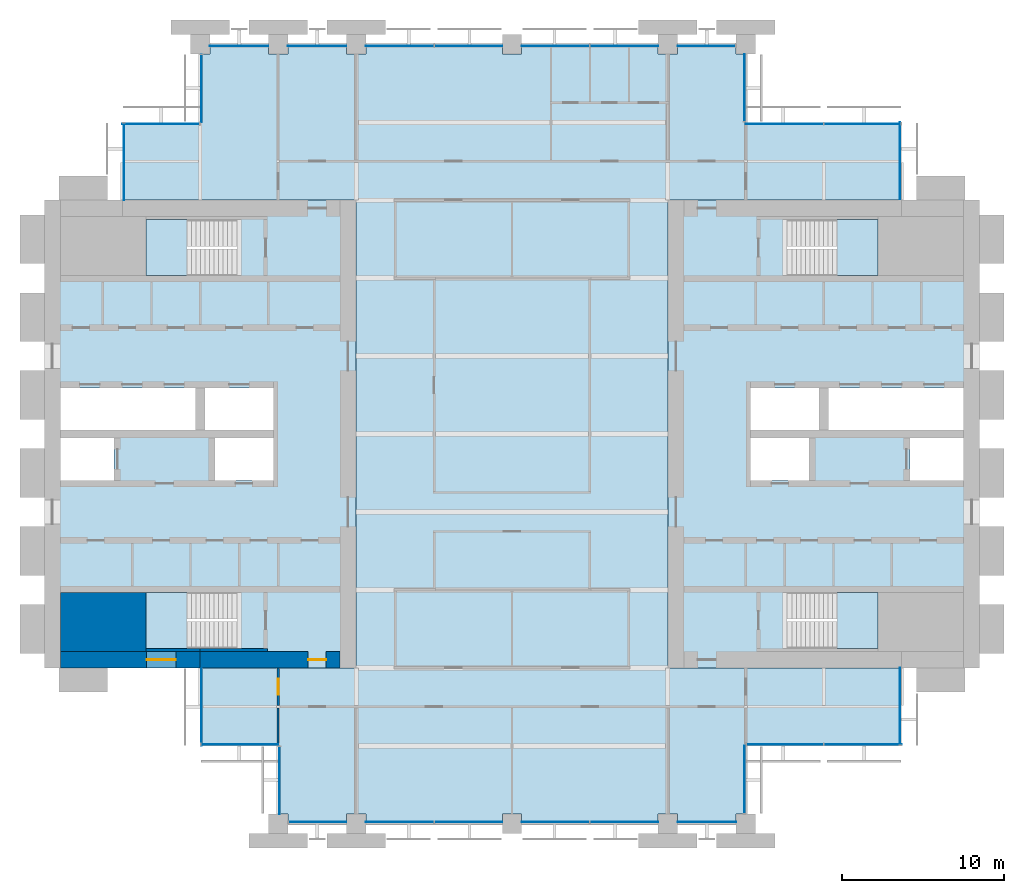
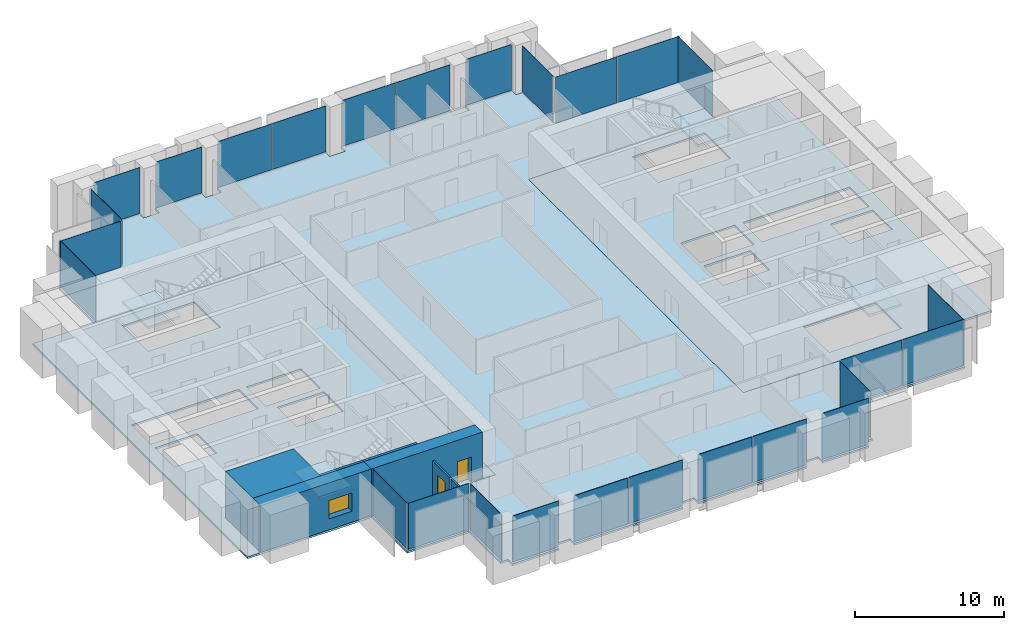
# One storey, part 8 of 14: 27 plates, 7 slabs, 7 walls, 2 doors, 1 window, 3 openings, 18 elements without a shape of their own.
"""IFC4 building model written with IfcOpenShell, lengths in metres."""

import ifcopenshell
import ifcopenshell.guid

model = None  # the IFC model being written
_history = None  # IfcOwnerHistory: only IFC2X3 demands one
_inside = {}  # id of a spatial element -> (the spatial element, [elements in it])
_under = {}  # id of a project, library or spatial element -> (it, [spatial elements below it])
_declared = {}  # id of a project -> (the project, [libraries it declares])
_typed = {}  # id of a type object -> (the type object, [elements of that type])
_made_of = {}  # id of a material, layer set ... -> (it, [elements and type objects made of it])


def new_model(schema):
    """Start an empty IFC model of exactly this schema.

    Asked for "IFC4X3", IfcOpenShell would pick the latest addendum, in which some entities
    have other attributes; the version numbers below select the first issue.
    IFC2X3 requires an IfcOwnerHistory on every rooted entity: one is made here for all.
    """
    global model, _history
    if schema == "IFC4X3":
        model = ifcopenshell.file(schema_version=(4, 3, 0, 0))
    else:
        model = ifcopenshell.file(schema=schema)
    _inside.clear()
    _under.clear()
    _declared.clear()
    _typed.clear()
    _made_of.clear()
    _history = None
    if model.schema == "IFC2X3":
        org = make("IfcOrganization", Name="unknown")
        user = make(
            "IfcPersonAndOrganization",
            ThePerson=make("IfcPerson", FamilyName="unknown"),
            TheOrganization=org,
        )
        app = make(
            "IfcApplication",
            ApplicationDeveloper=org,
            Version="unknown",
            ApplicationFullName="unknown",
            ApplicationIdentifier="unknown",
        )
        _history = make(
            "IfcOwnerHistory",
            OwningUser=user,
            OwningApplication=app,
            ChangeAction="ADDED",
            CreationDate=0,
        )
    return model


def make(cls, **values):
    """One entity of the class cls with the attributes given. An attribute that is None is left unset."""
    return model.create_entity(
        cls, **{name: value for name, value in values.items() if value is not None}
    )


def rooted(cls, **values):
    """An entity with a GlobalId (a new one), such as an element, a storey or a relation."""
    return make(cls, GlobalId=ifcopenshell.guid.new(), OwnerHistory=_history, **values)


def si_unit(unit_type, name, prefix=None):
    """IfcSIUnit, for example si_unit("LENGTHUNIT", "METRE", prefix="MILLI")."""
    return make("IfcSIUnit", UnitType=unit_type, Prefix=prefix, Name=name)


def assignment(units):
    """IfcUnitAssignment: the units of a project."""
    return None if units is None else make("IfcUnitAssignment", Units=units)


def point(xyz):
    """IfcCartesianPoint."""
    return None if xyz is None else make("IfcCartesianPoint", Coordinates=xyz)


def direction(xyz):
    """IfcDirection."""
    return None if xyz is None else make("IfcDirection", DirectionRatios=xyz)


def frame(location, z_axis=None, x_axis=None):
    """IfcAxis2Placement3D, a coordinate frame: its origin and axes. An axis left out is left unset."""
    return make(
        "IfcAxis2Placement3D",
        Location=point(location),
        Axis=direction(z_axis),
        RefDirection=direction(x_axis),
    )


def frame_2d(location, x_axis=None):
    """IfcAxis2Placement2D, a coordinate frame in the plane: its origin and x axis."""
    return make(
        "IfcAxis2Placement2D", Location=point(location), RefDirection=direction(x_axis)
    )


def origin():
    """The frame at (0, 0, 0) with its axes left unset."""
    return frame((0.0, 0.0, 0.0))


def origin_2d():
    """The frame at (0, 0) in the plane with its x axis left unset."""
    return frame_2d((0.0, 0.0))


def place(relative_to, where):
    """IfcLocalPlacement: puts the frame where relative to a parent placement (None: the world)."""
    return make(
        "IfcLocalPlacement", PlacementRelTo=relative_to, RelativePlacement=where
    )


def context(
    kind, dimensions, precision=None, world=None, true_north=None, identifier=None
):
    """IfcGeometricRepresentationContext, for example the 3D "Model" context."""
    return make(
        "IfcGeometricRepresentationContext",
        ContextIdentifier=identifier,
        ContextType=kind,
        CoordinateSpaceDimension=dimensions,
        Precision=precision,
        WorldCoordinateSystem=world,
        TrueNorth=true_north,
    )


def subcontext(parent, identifier, kind, view, scale=None):
    """IfcGeometricRepresentationSubContext, for example "Body" below "Model"."""
    return make(
        "IfcGeometricRepresentationSubContext",
        ContextIdentifier=identifier,
        ContextType=kind,
        ParentContext=parent,
        TargetScale=scale,
        TargetView=view,
    )


def project(units=None, contexts=None):
    """IfcProject with its units and contexts."""
    return rooted(
        "IfcProject",
        Name="project",
        RepresentationContexts=contexts,
        UnitsInContext=assignment(units),
    )


def spatial(cls, under=None, at=None, **own):
    """A site, building, storey or space (cls), placed at a placement, below another one or the project."""
    s = rooted(cls, ObjectPlacement=at, **own)
    if under is not None:
        _under.setdefault(under.id(), (under, []))[1].append(s)
    return s


def polyline(points):
    """IfcPolyline through the points."""
    return make("IfcPolyline", Points=[point(p) for p in points])


def profile(cls, at=None, kind="AREA", **sizes):
    """A parametric profile (cls). Its sizes go by their IFC names, for example OverallWidth=200.0."""
    return make(cls, ProfileType=kind, Position=at, **sizes)


def rectangle(**sizes):
    """IfcRectangleProfileDef."""
    return profile("IfcRectangleProfileDef", **sizes)


def outline(outer, holes=None, kind="AREA"):
    """IfcArbitraryClosedProfileDef: a profile drawn as a closed curve; with holes, ...WithVoids."""
    if holes is None:
        return make("IfcArbitraryClosedProfileDef", ProfileType=kind, OuterCurve=outer)
    return make(
        "IfcArbitraryProfileDefWithVoids",
        ProfileType=kind,
        OuterCurve=outer,
        InnerCurves=holes,
    )


def extrude(swept, where, along, depth):
    """IfcExtrudedAreaSolid: the profile swept, set in the frame where, extruded along a direction by depth."""
    return make(
        "IfcExtrudedAreaSolid",
        SweptArea=swept,
        Position=where,
        ExtrudedDirection=direction(along),
        Depth=depth,
    )


def shape(context_of_items, identifier, shape_type, items):
    """IfcShapeRepresentation: the items that make up one representation, for example the "Body"."""
    return make(
        "IfcShapeRepresentation",
        ContextOfItems=context_of_items,
        RepresentationIdentifier=identifier,
        RepresentationType=shape_type,
        Items=items,
    )


def material(Name=None, Category=None):
    """IfcMaterial."""
    return make("IfcMaterial", Name=Name, Category=Category)


def layer(
    of_material, thickness, ventilated=None, Name=None, Category=None, Priority=None
):
    """IfcMaterialLayer: one layer of a wall or slab, of a material (None: an air gap)."""
    return make(
        "IfcMaterialLayer",
        Material=of_material,
        LayerThickness=thickness,
        IsVentilated=ventilated,
        Name=Name,
        Category=Category,
        Priority=Priority,
    )


def layer_set(layers, Name=None):
    """IfcMaterialLayerSet."""
    return make("IfcMaterialLayerSet", MaterialLayers=layers, LayerSetName=Name)


def made_of(thing, what):
    """Note that an element or type object is made of a material, layer set ...; save() writes the relation."""
    if what is not None:
        _made_of.setdefault(what.id(), (what, []))[1].append(thing)
    return thing


def type_object(cls, material=None, **own):
    """A type object (cls), such as IfcWallType, which elements share."""
    return made_of(rooted(cls, **own), material)


def element(
    cls,
    number,
    at=None,
    inside=None,
    cuts=None,
    type_object=None,
    material=None,
    context=None,
    identifier="Body",
    shape_type=None,
    held_by="IfcProductDefinitionShape",
    body=None,
    shapes=None,
    **own,
):
    """One element of the class cls, such as IfcWall. Its Tag is "e" and its number.

    at: its placement. inside: the storey or other place that contains it. cuts: it is an
    opening in that element (IfcRelVoidsElement). A single representation is given by context,
    identifier, shape_type and body (its items); several are given by shapes. held_by: the class
    of the entity that holds the representations. save() writes the other relations.
    """
    e = rooted(cls, Tag="e%d" % number, ObjectPlacement=at, **own)
    if body is not None:
        shapes = [shape(context, identifier, shape_type, body)]
    if shapes is not None:
        e.Representation = make(held_by, Representations=shapes)
    if inside is not None:
        _inside.setdefault(inside.id(), (inside, []))[1].append(e)
    if cuts is not None:
        rooted(
            "IfcRelVoidsElement", RelatingBuildingElement=cuts, RelatedOpeningElement=e
        )
    if type_object is not None:
        _typed.setdefault(type_object.id(), (type_object, []))[1].append(e)
    return made_of(e, material)


def fill(opening, filler):
    """IfcRelFillsElement: the door or window that sits in an opening."""
    return rooted(
        "IfcRelFillsElement",
        RelatingOpeningElement=opening,
        RelatedBuildingElement=filler,
    )


def aggregate(whole, parts):
    """IfcRelAggregates: a whole, such as a stair, and the parts it consists of."""
    return rooted("IfcRelAggregates", RelatingObject=whole, RelatedObjects=parts)


def save(model, path):
    """Write the relations noted so far, then the file.

    IfcRelAggregates (storeys below a building ...), IfcRelContainedInSpatialStructure (elements
    in a storey), IfcRelDefinesByType, IfcRelAssociatesMaterial and IfcRelDeclares: one each for
    every whole, place, type object, material and project.
    """
    for whole, parts in _under.values():
        aggregate(whole, parts)
    for where, things in _inside.values():
        rooted(
            "IfcRelContainedInSpatialStructure",
            RelatedElements=things,
            RelatingStructure=where,
        )
    for kind, things in _typed.values():
        rooted("IfcRelDefinesByType", RelatedObjects=things, RelatingType=kind)
    for what, things in _made_of.values():
        rooted("IfcRelAssociatesMaterial", RelatedObjects=things, RelatingMaterial=what)
    for by, libraries in _declared.values():
        rooted("IfcRelDeclares", RelatingContext=by, RelatedDefinitions=libraries)
    model.write(path)


model = new_model("IFC4")

# Units and contexts
model_context = context("Model", 3, precision=1e-05, world=origin(), true_north=direction((0.0, 1.0)))
body_context = subcontext(model_context, "Body", "Model", "MODEL_VIEW")
ifc_project = project(units=[si_unit("LENGTHUNIT", "METRE"), si_unit("AREAUNIT", "SQUARE_METRE"), si_unit("VOLUMEUNIT", "CUBIC_METRE"), si_unit("PLANEANGLEUNIT", "RADIAN"), si_unit("MASSUNIT", "GRAM", prefix="KILO")], contexts=[model_context])

# Site, building, storey
site_placement = place(None, origin())
site = spatial("IfcSite", under=ifc_project, at=site_placement, CompositionType="ELEMENT")
building_placement = place(site_placement, origin())
building = spatial("IfcBuilding", under=site, at=building_placement, Name="Baori Bourse Tower", CompositionType="ELEMENT")
storey_placement = place(building_placement, frame((0.0, 0.0, 112.10009765625)))
storey = spatial("IfcBuildingStorey", under=building, at=storey_placement, Name="L23", CompositionType="ELEMENT", Elevation=112.10009765625)

# Curtain wall, plates
ifc_material_1 = material(Name="Pale anodised aluminium", Category="aluminium")
curtain_wall_type_1 = type_object("IfcCurtainWallType", Name="CW1 Curtain wall", PredefinedType="NOTDEFINED", material=ifc_material_1)
curtain_wall_1_placement = place(storey_placement, origin())
curtain_wall_1 = element("IfcCurtainWall", 1, at=curtain_wall_1_placement, inside=storey, type_object=curtain_wall_type_1, Name="Curtain wall CW1 L23 4", PredefinedType="NOTDEFINED")
ifc_material_2 = material(Name="Clear glass", Category="glass")
ifc_layer_1 = layer(ifc_material_2, 0.033935546875)
ifc_layer_set_1 = layer_set([ifc_layer_1], Name="CW1 Curtain wall panel")
plate_type_1 = type_object("IfcPlateType", Name="CW1 Curtain wall panel", PredefinedType="CURTAIN_PANEL", material=ifc_layer_set_1)
plate_1_placement = place(storey_placement, frame((40.77001953125, 47.89990234375, 0.080078125), z_axis=(0.0, 0.0, 1.0), x_axis=(-1.0, 0.0, 0.0)))
plate_1 = element("IfcPlate", 2, at=plate_1_placement, type_object=plate_type_1, Name="Curtain wall CW1 panel", PredefinedType="CURTAIN_PANEL", context=body_context, shape_type="SweptSolid", body=[
    extrude(rectangle(XDim=3.5400390625, YDim=0.033935546875, at=origin_2d()), origin(), (0.0, 0.0, 1.0), 3.760009765625),
])
plate_2_placement = place(storey_placement, frame((35.715087890625, 47.89990234375, 0.080078125), z_axis=(0.0, 0.0, 1.0), x_axis=(-1.0, 0.0, 0.0)))
plate_2 = element("IfcPlate", 3, at=plate_2_placement, type_object=plate_type_1, Name="Curtain wall CW1 panel", PredefinedType="CURTAIN_PANEL", context=body_context, shape_type="SweptSolid", body=[
    extrude(rectangle(XDim=4.169921875, YDim=0.033935546875, at=origin_2d()), origin(), (0.0, 0.0, 1.0), 3.760009765625),
])
plate_3_placement = place(storey_placement, frame((31.485107421875, 47.89990234375, 0.080078125), z_axis=(0.0, 0.0, 1.0), x_axis=(-1.0, 0.0, 0.0)))
plate_3 = element("IfcPlate", 4, at=plate_3_placement, type_object=plate_type_1, Name="Curtain wall CW1 panel", PredefinedType="CURTAIN_PANEL", context=body_context, shape_type="SweptSolid", body=[
    extrude(rectangle(XDim=4.169921875, YDim=0.033935546875, at=origin_2d()), origin(), (0.0, 0.0, 1.0), 3.760009765625),
])
plate_4_placement = place(storey_placement, frame((26.114990234375, 47.89990234375, 0.080078125), z_axis=(0.0, 0.0, 1.0), x_axis=(-1.0, 0.0, 0.0)))
plate_4 = element("IfcPlate", 5, at=plate_4_placement, type_object=plate_type_1, Name="Curtain wall CW1 panel", PredefinedType="CURTAIN_PANEL", context=body_context, shape_type="SweptSolid", body=[
    extrude(rectangle(XDim=4.169921875, YDim=0.033935546875, at=origin_2d()), origin(), (0.0, 0.0, 1.0), 3.760009765625),
])
plate_5_placement = place(storey_placement, frame((21.885009765625, 47.89990234375, 0.080078125), z_axis=(0.0, 0.0, 1.0), x_axis=(-1.0, 0.0, 0.0)))
plate_5 = element("IfcPlate", 6, at=plate_5_placement, type_object=plate_type_1, Name="Curtain wall CW1 panel", PredefinedType="CURTAIN_PANEL", context=body_context, shape_type="SweptSolid", body=[
    extrude(rectangle(XDim=4.169921875, YDim=0.033935546875, at=origin_2d()), origin(), (0.0, 0.0, 1.0), 3.760009765625),
])
plate_6_placement = place(storey_placement, frame((16.800048828125, 47.89990234375, 0.080078125), z_axis=(0.0, 0.0, 1.0), x_axis=(-1.0, 0.0, 0.0)))
plate_6 = element("IfcPlate", 7, at=plate_6_placement, type_object=plate_type_1, Name="Curtain wall CW1 panel", PredefinedType="CURTAIN_PANEL", context=body_context, shape_type="SweptSolid", body=[
    extrude(rectangle(XDim=3.60009765625, YDim=0.033935546875, at=origin_2d()), origin(), (0.0, 0.0, 1.0), 3.760009765625),
])
plate_7_placement = place(storey_placement, frame((12.0, 47.89990234375, 0.080078125), z_axis=(0.0, 0.0, 1.0), x_axis=(-1.0, 0.0, 0.0)))
plate_7 = element("IfcPlate", 8, at=plate_7_placement, type_object=plate_type_1, Name="Curtain wall CW1 panel", PredefinedType="CURTAIN_PANEL", context=body_context, shape_type="SweptSolid", body=[
    extrude(rectangle(XDim=3.60009765625, YDim=0.033935546875, at=origin_2d()), origin(), (0.0, 0.0, 1.0), 3.760009765625),
])
aggregate(curtain_wall_1, [plate_1, plate_2, plate_3, plate_4, plate_5, plate_6, plate_7])

curtain_wall_2_placement = place(storey_placement, origin())
curtain_wall_2 = element("IfcCurtainWall", 9, at=curtain_wall_2_placement, inside=storey, type_object=curtain_wall_type_1, Name="Curtain wall CW1 L23 11", PredefinedType="NOTDEFINED")
plate_8_placement = place(storey_placement, frame((16.830078125, 0.10009765625, 0.080078125), z_axis=(0.0, 0.0, 1.0), x_axis=(1.0, 0.0, 0.0)))
plate_8 = element("IfcPlate", 10, at=plate_8_placement, type_object=plate_type_1, Name="Curtain wall CW1 panel", PredefinedType="CURTAIN_PANEL", context=body_context, shape_type="SweptSolid", body=[
    extrude(rectangle(XDim=3.5400390625, YDim=0.033935546875, at=origin_2d()), origin(), (0.0, 0.0, 1.0), 3.760009765625),
])
plate_9_placement = place(storey_placement, frame((21.885009765625, 0.10009765625, 0.080078125), z_axis=(0.0, 0.0, 1.0), x_axis=(1.0, 0.0, 0.0)))
plate_9 = element("IfcPlate", 11, at=plate_9_placement, type_object=plate_type_1, Name="Curtain wall CW1 panel", PredefinedType="CURTAIN_PANEL", context=body_context, shape_type="SweptSolid", body=[
    extrude(rectangle(XDim=4.169921875, YDim=0.033935546875, at=origin_2d()), origin(), (0.0, 0.0, 1.0), 3.760009765625),
])
plate_10_placement = place(storey_placement, frame((26.114990234375, 0.10009765625, 0.080078125), z_axis=(0.0, 0.0, 1.0), x_axis=(1.0, 0.0, 0.0)))
plate_10 = element("IfcPlate", 12, at=plate_10_placement, type_object=plate_type_1, Name="Curtain wall CW1 panel", PredefinedType="CURTAIN_PANEL", context=body_context, shape_type="SweptSolid", body=[
    extrude(rectangle(XDim=4.169921875, YDim=0.033935546875, at=origin_2d()), origin(), (0.0, 0.0, 1.0), 3.760009765625),
])
plate_11_placement = place(storey_placement, frame((31.485107421875, 0.10009765625, 0.080078125), z_axis=(0.0, 0.0, 1.0), x_axis=(1.0, 0.0, 0.0)))
plate_11 = element("IfcPlate", 13, at=plate_11_placement, type_object=plate_type_1, Name="Curtain wall CW1 panel", PredefinedType="CURTAIN_PANEL", context=body_context, shape_type="SweptSolid", body=[
    extrude(rectangle(XDim=4.169921875, YDim=0.033935546875, at=origin_2d()), origin(), (0.0, 0.0, 1.0), 3.760009765625),
])
plate_12_placement = place(storey_placement, frame((35.715087890625, 0.10009765625, 0.080078125), z_axis=(0.0, 0.0, 1.0), x_axis=(1.0, 0.0, 0.0)))
plate_12 = element("IfcPlate", 14, at=plate_12_placement, type_object=plate_type_1, Name="Curtain wall CW1 panel", PredefinedType="CURTAIN_PANEL", context=body_context, shape_type="SweptSolid", body=[
    extrude(rectangle(XDim=4.169921875, YDim=0.033935546875, at=origin_2d()), origin(), (0.0, 0.0, 1.0), 3.760009765625),
])
plate_13_placement = place(storey_placement, frame((40.800048828125, 0.10009765625, 0.080078125), z_axis=(0.0, 0.0, 1.0), x_axis=(1.0, 0.0, 0.0)))
plate_13 = element("IfcPlate", 15, at=plate_13_placement, type_object=plate_type_1, Name="Curtain wall CW1 panel", PredefinedType="CURTAIN_PANEL", context=body_context, shape_type="SweptSolid", body=[
    extrude(rectangle(XDim=3.60009765625, YDim=0.033935546875, at=origin_2d()), origin(), (0.0, 0.0, 1.0), 3.760009765625),
])
aggregate(curtain_wall_2, [plate_8, plate_9, plate_10, plate_11, plate_12, plate_13])

# Curtain wall, plate
ifc_material_3 = material(Name="Pale anodised aluminium", Category="aluminium")
curtain_wall_type_2 = type_object("IfcCurtainWallType", Name="CW2 Curtain wall", PredefinedType="NOTDEFINED", material=ifc_material_3)
curtain_wall_3_placement = place(storey_placement, origin())
curtain_wall_3 = element("IfcCurtainWall", 16, at=curtain_wall_3_placement, inside=storey, type_object=curtain_wall_type_2, Name="Curtain wall CW2 L23 1", PredefinedType="NOTDEFINED")
ifc_material_4 = material(Name="Clear glass", Category="glass")
ifc_layer_2 = layer(ifc_material_4, 0.030029296875)
ifc_layer_set_2 = layer_set([ifc_layer_2], Name="CW2 Curtain wall panel")
plate_type_2 = type_object("IfcPlateType", Name="CW2 Curtain wall panel", PredefinedType="CURTAIN_PANEL", material=ifc_layer_set_2)
plate_14_placement = place(storey_placement, frame((52.7099609375, 40.827392578125, 0.06982421875), z_axis=(0.0, 0.0, 1.0), x_axis=(0.0, 1.0, 0.0)))
plate_14 = element("IfcPlate", 17, at=plate_14_placement, type_object=plate_type_2, Name="Curtain wall CW2 panel", PredefinedType="CURTAIN_PANEL", context=body_context, shape_type="SweptSolid", body=[
    extrude(rectangle(XDim=4.7451171875, YDim=0.030029296875, at=origin_2d()), origin(), (0.0, 0.0, 1.0), 3.77001953125),
])
aggregate(curtain_wall_3, [plate_14])

# Curtain wall, plates
curtain_wall_4_placement = place(storey_placement, origin())
curtain_wall_4 = element("IfcCurtainWall", 18, at=curtain_wall_4_placement, inside=storey, type_object=curtain_wall_type_2, Name="Curtain wall CW2 L23 2", PredefinedType="NOTDEFINED")
plate_15_placement = place(storey_placement, frame((50.38623046875, 43.110107421875, 0.06982421875), z_axis=(0.0, 0.0, 1.0), x_axis=(-1.0, 0.0, 0.0)))
plate_15 = element("IfcPlate", 19, at=plate_15_placement, type_object=plate_type_2, Name="Curtain wall CW2 panel", PredefinedType="CURTAIN_PANEL", context=body_context, shape_type="SweptSolid", body=[
    extrude(rectangle(XDim=4.717529296875, YDim=0.030029296875, at=origin_2d()), origin(), (0.0, 0.0, 1.0), 3.77001953125),
])
plate_16_placement = place(storey_placement, frame((45.586181640625, 43.110107421875, 0.06982421875), z_axis=(0.0, 0.0, 1.0), x_axis=(-1.0, 0.0, 0.0)))
plate_16 = element("IfcPlate", 20, at=plate_16_placement, type_object=plate_type_2, Name="Curtain wall CW2 panel", PredefinedType="CURTAIN_PANEL", context=body_context, shape_type="SweptSolid", body=[
    extrude(rectangle(XDim=4.7724609375, YDim=0.030029296875, at=origin_2d()), origin(), (0.0, 0.0, 1.0), 3.77001953125),
])
aggregate(curtain_wall_4, [plate_15, plate_16])

# Curtain wall, plate
curtain_wall_5_placement = place(storey_placement, origin())
curtain_wall_5 = element("IfcCurtainWall", 21, at=curtain_wall_5_placement, inside=storey, type_object=curtain_wall_type_2, Name="Curtain wall CW2 L23 3", PredefinedType="NOTDEFINED")
plate_17_placement = place(storey_placement, frame((43.110107421875, 45.327392578125, 0.06982421875), z_axis=(0.0, 0.0, 1.0), x_axis=(0.0, 1.0, 0.0)))
plate_17 = element("IfcPlate", 22, at=plate_17_placement, type_object=plate_type_2, Name="Curtain wall CW2 panel", PredefinedType="CURTAIN_PANEL", context=body_context, shape_type="SweptSolid", body=[
    extrude(rectangle(XDim=4.14501953125, YDim=0.030029296875, at=origin_2d()), origin(), (0.0, 0.0, 1.0), 3.77001953125),
])
aggregate(curtain_wall_5, [plate_17])

curtain_wall_6_placement = place(storey_placement, origin())
curtain_wall_6 = element("IfcCurtainWall", 23, at=curtain_wall_6_placement, inside=storey, type_object=curtain_wall_type_2, Name="Curtain wall CW2 L23 5", PredefinedType="NOTDEFINED")
plate_18_placement = place(storey_placement, frame((9.68994140625, 45.2724609375, 0.06982421875), z_axis=(0.0, 0.0, 1.0), x_axis=(0.0, -1.0, 0.0)))
plate_18 = element("IfcPlate", 24, at=plate_18_placement, type_object=plate_type_2, Name="Curtain wall CW2 panel", PredefinedType="CURTAIN_PANEL", context=body_context, shape_type="SweptSolid", body=[
    extrude(rectangle(XDim=4.14501953125, YDim=0.030029296875, at=origin_2d()), origin(), (0.0, 0.0, 1.0), 3.77001953125),
])
aggregate(curtain_wall_6, [plate_18])

curtain_wall_7_placement = place(storey_placement, origin())
curtain_wall_7 = element("IfcCurtainWall", 25, at=curtain_wall_7_placement, inside=storey, type_object=curtain_wall_type_2, Name="Curtain wall CW2 L23 6", PredefinedType="NOTDEFINED")
plate_19_placement = place(storey_placement, frame((7.172607421875, 43.110107421875, 0.06982421875), z_axis=(0.0, 0.0, 1.0), x_axis=(-1.0, 0.0, 0.0)))
plate_19 = element("IfcPlate", 26, at=plate_19_placement, type_object=plate_type_2, Name="Curtain wall CW2 panel", PredefinedType="CURTAIN_PANEL", context=body_context, shape_type="SweptSolid", body=[
    extrude(rectangle(XDim=4.7451171875, YDim=0.030029296875, at=origin_2d()), origin(), (0.0, 0.0, 1.0), 3.77001953125),
])
aggregate(curtain_wall_7, [plate_19])

curtain_wall_8_placement = place(storey_placement, origin())
curtain_wall_8 = element("IfcCurtainWall", 27, at=curtain_wall_8_placement, inside=storey, type_object=curtain_wall_type_2, Name="Curtain wall CW2 L23 7", PredefinedType="NOTDEFINED")
plate_20_placement = place(storey_placement, frame((4.889892578125, 40.7724609375, 0.06982421875), z_axis=(0.0, 0.0, 1.0), x_axis=(0.0, -1.0, 0.0)))
plate_20 = element("IfcPlate", 28, at=plate_20_placement, type_object=plate_type_2, Name="Curtain wall CW2 panel", PredefinedType="CURTAIN_PANEL", context=body_context, shape_type="SweptSolid", body=[
    extrude(rectangle(XDim=4.7451171875, YDim=0.030029296875, at=origin_2d()), origin(), (0.0, 0.0, 1.0), 3.77001953125),
])
aggregate(curtain_wall_8, [plate_20])

curtain_wall_9_placement = place(storey_placement, origin())
curtain_wall_9 = element("IfcCurtainWall", 29, at=curtain_wall_9_placement, inside=storey, type_object=curtain_wall_type_2, Name="Curtain wall CW2 L23 8", PredefinedType="NOTDEFINED")
plate_21_placement = place(storey_placement, frame((9.68994140625, 7.172607421875, 0.06982421875), z_axis=(0.0, 0.0, 1.0), x_axis=(0.0, -1.0, 0.0)))
plate_21 = element("IfcPlate", 30, at=plate_21_placement, type_object=plate_type_2, Name="Curtain wall CW2 panel", PredefinedType="CURTAIN_PANEL", context=body_context, shape_type="SweptSolid", body=[
    extrude(rectangle(XDim=4.7451171875, YDim=0.030029296875, at=origin_2d()), origin(), (0.0, 0.0, 1.0), 3.77001953125),
])
aggregate(curtain_wall_9, [plate_21])

curtain_wall_10_placement = place(storey_placement, origin())
curtain_wall_10 = element("IfcCurtainWall", 31, at=curtain_wall_10_placement, inside=storey, type_object=curtain_wall_type_2, Name="Curtain wall CW2 L23 9", PredefinedType="NOTDEFINED")
plate_22_placement = place(storey_placement, frame((12.027587890625, 4.889892578125, 0.06982421875), z_axis=(0.0, 0.0, 1.0), x_axis=(1.0, 0.0, 0.0)))
plate_22 = element("IfcPlate", 32, at=plate_22_placement, type_object=plate_type_2, Name="Curtain wall CW2 panel", PredefinedType="CURTAIN_PANEL", context=body_context, shape_type="SweptSolid", body=[
    extrude(rectangle(XDim=4.7451171875, YDim=0.030029296875, at=origin_2d()), origin(), (0.0, 0.0, 1.0), 3.77001953125),
])
aggregate(curtain_wall_10, [plate_22])

curtain_wall_11_placement = place(storey_placement, origin())
curtain_wall_11 = element("IfcCurtainWall", 33, at=curtain_wall_11_placement, inside=storey, type_object=curtain_wall_type_2, Name="Curtain wall CW2 L23 10", PredefinedType="NOTDEFINED")
plate_23_placement = place(storey_placement, frame((14.489990234375, 2.672607421875, 0.06982421875), z_axis=(0.0, 0.0, 1.0), x_axis=(0.0, -1.0, 0.0)))
plate_23 = element("IfcPlate", 34, at=plate_23_placement, type_object=plate_type_2, Name="Curtain wall CW2 panel", PredefinedType="CURTAIN_PANEL", context=body_context, shape_type="SweptSolid", body=[
    extrude(rectangle(XDim=4.14501953125, YDim=0.030029296875, at=origin_2d()), origin(), (0.0, 0.0, 1.0), 3.77001953125),
])
aggregate(curtain_wall_11, [plate_23])

curtain_wall_12_placement = place(storey_placement, origin())
curtain_wall_12 = element("IfcCurtainWall", 35, at=curtain_wall_12_placement, inside=storey, type_object=curtain_wall_type_2, Name="Curtain wall CW2 L23 12", PredefinedType="NOTDEFINED")
plate_24_placement = place(storey_placement, frame((43.110107421875, 2.7275390625, 0.06982421875), z_axis=(0.0, 0.0, 1.0), x_axis=(0.0, 1.0, 0.0)))
plate_24 = element("IfcPlate", 36, at=plate_24_placement, type_object=plate_type_2, Name="Curtain wall CW2 panel", PredefinedType="CURTAIN_PANEL", context=body_context, shape_type="SweptSolid", body=[
    extrude(rectangle(XDim=4.14501953125, YDim=0.030029296875, at=origin_2d()), origin(), (0.0, 0.0, 1.0), 3.77001953125),
])
aggregate(curtain_wall_12, [plate_24])

# Curtain wall, plates
curtain_wall_13_placement = place(storey_placement, origin())
curtain_wall_13 = element("IfcCurtainWall", 37, at=curtain_wall_13_placement, inside=storey, type_object=curtain_wall_type_2, Name="Curtain wall CW2 L23 13", PredefinedType="NOTDEFINED")
plate_25_placement = place(storey_placement, frame((45.61376953125, 4.889892578125, 0.06982421875), z_axis=(0.0, 0.0, 1.0), x_axis=(1.0, 0.0, 0.0)))
plate_25 = element("IfcPlate", 38, at=plate_25_placement, type_object=plate_type_2, Name="Curtain wall CW2 panel", PredefinedType="CURTAIN_PANEL", context=body_context, shape_type="SweptSolid", body=[
    extrude(rectangle(XDim=4.717529296875, YDim=0.030029296875, at=origin_2d()), origin(), (0.0, 0.0, 1.0), 3.77001953125),
])
plate_26_placement = place(storey_placement, frame((50.413818359375, 4.889892578125, 0.06982421875), z_axis=(0.0, 0.0, 1.0), x_axis=(1.0, 0.0, 0.0)))
plate_26 = element("IfcPlate", 39, at=plate_26_placement, type_object=plate_type_2, Name="Curtain wall CW2 panel", PredefinedType="CURTAIN_PANEL", context=body_context, shape_type="SweptSolid", body=[
    extrude(rectangle(XDim=4.7724609375, YDim=0.030029296875, at=origin_2d()), origin(), (0.0, 0.0, 1.0), 3.77001953125),
])
aggregate(curtain_wall_13, [plate_25, plate_26])

# Curtain wall, plate
curtain_wall_14_placement = place(storey_placement, origin())
curtain_wall_14 = element("IfcCurtainWall", 40, at=curtain_wall_14_placement, inside=storey, type_object=curtain_wall_type_2, Name="Curtain wall CW2 L23 14", PredefinedType="NOTDEFINED")
plate_27_placement = place(storey_placement, frame((52.7099609375, 7.2275390625, 0.06982421875), z_axis=(0.0, 0.0, 1.0), x_axis=(0.0, 1.0, 0.0)))
plate_27 = element("IfcPlate", 41, at=plate_27_placement, type_object=plate_type_2, Name="Curtain wall CW2 panel", PredefinedType="CURTAIN_PANEL", context=body_context, shape_type="SweptSolid", body=[
    extrude(rectangle(XDim=4.7451171875, YDim=0.030029296875, at=origin_2d()), origin(), (0.0, 0.0, 1.0), 3.77001953125),
])
aggregate(curtain_wall_14, [plate_27])

# Slabs
ifc_material_5 = material(Name="Concrete f'c 50 MPa", Category="concrete")
ifc_layer_3 = layer(ifc_material_5, 0.159912109375)
ifc_layer_set_3 = layer_set([ifc_layer_3], Name="Core slab 160")
slab_type_1 = type_object("IfcSlabType", Name="Core slab 160", PredefinedType="FLOOR", material=ifc_layer_set_3)
slab_1_placement = place(storey_placement, frame((0.0, 0.0, -0.16015625)))
element("IfcSlab", 42, at=slab_1_placement, inside=storey, type_object=slab_type_1, Name="Core floor slab W01", PredefinedType="FLOOR", context=body_context, shape_type="SweptSolid", body=[
    extrude(outline(polyline([(0.0, 38.39990234375), (0.0, 9.60009765625), (19.199951171875, 9.60009765625), (19.199951171875, 38.39990234375), (0.0, 38.39990234375)]), holes=[polyline([(10.5, 21.14990234375), (10.5, 23.75), (14.10009765625, 23.75), (14.10009765625, 21.14990234375), (10.5, 21.14990234375)]), polyline([(14.10009765625, 24.25), (9.89990234375, 24.25), (9.89990234375, 26.85009765625), (14.10009765625, 26.85009765625), (14.10009765625, 24.25)]), polyline([(6.25, 14.25), (11.84912109375, 14.25), (11.84912109375, 10.800048828125), (6.25, 10.800048828125), (6.25, 14.25)]), polyline([(11.84912109375, 37.199951171875), (11.84912109375, 33.75), (6.25, 33.75), (6.25, 37.199951171875), (11.84912109375, 37.199951171875)]), polyline([(1.0, 26.85009765625), (9.300048828125, 26.85009765625), (9.300048828125, 24.25), (1.0, 24.25), (1.0, 26.85009765625)]), polyline([(4.300048828125, 23.75), (4.300048828125, 21.14990234375), (1.0, 21.14990234375), (1.0, 23.75), (4.300048828125, 23.75)])]), origin(), (0.0, 0.0, 1.0), 0.16015625),
])
slab_2_placement = place(storey_placement, frame((0.0, 0.0, -0.16015625)))
element("IfcSlab", 43, at=slab_2_placement, inside=storey, type_object=slab_type_1, Name="Core floor slab E01", PredefinedType="FLOOR", context=body_context, shape_type="SweptSolid", body=[
    extrude(outline(polyline([(57.60009765625, 38.39990234375), (38.39990234375, 38.39990234375), (38.39990234375, 9.60009765625), (57.60009765625, 9.60009765625), (57.60009765625, 38.39990234375)]), holes=[polyline([(56.60009765625, 21.14990234375), (53.300048828125, 21.14990234375), (53.300048828125, 23.75), (56.60009765625, 23.75), (56.60009765625, 21.14990234375)]), polyline([(56.60009765625, 26.85009765625), (56.60009765625, 24.25), (48.300048828125, 24.25), (48.300048828125, 26.85009765625), (56.60009765625, 26.85009765625)]), polyline([(45.750732421875, 14.25), (51.35009765625, 14.25), (51.35009765625, 10.800048828125), (45.750732421875, 10.800048828125), (45.750732421875, 14.25)]), polyline([(51.35009765625, 37.199951171875), (51.35009765625, 33.75), (45.750732421875, 33.75), (45.750732421875, 37.199951171875), (51.35009765625, 37.199951171875)]), polyline([(43.5, 24.25), (43.5, 26.85009765625), (47.699951171875, 26.85009765625), (47.699951171875, 24.25), (43.5, 24.25)]), polyline([(43.5, 23.75), (47.10009765625, 23.75), (47.10009765625, 21.14990234375), (43.5, 21.14990234375), (43.5, 23.75)])]), origin(), (0.0, 0.0, 1.0), 0.16015625),
])

# Stair, slab
ifc_material_6 = material(Name="Concrete f'c 50 MPa", Category="concrete")
stair_type = type_object("IfcStairType", Name="Core stair", PredefinedType="HALF_TURN_STAIR", material=ifc_material_6)
stair_1_placement = place(storey_placement, origin())
stair_1 = element("IfcStair", 44, at=stair_1_placement, inside=storey, type_object=stair_type, Name="L23 Stair WA", PredefinedType="HALF_TURN_STAIR")
ifc_material_7 = material(Name="Concrete f'c 50 MPa", Category="concrete")
slab_type_2 = type_object("IfcSlabType", Name="Core stair landing", PredefinedType="LANDING", material=ifc_material_7)
slab_3_placement = place(storey_placement, frame((0.0, 0.0, 1.7998046875)))
slab_3 = element("IfcSlab", 45, at=slab_3_placement, type_object=slab_type_2, Name="ST1 landing 1", PredefinedType="LANDING", context=body_context, shape_type="SweptSolid", body=[
    extrude(outline(polyline([(8.77001953125, 14.25), (6.25, 14.25), (6.25, 10.800048828125), (8.77001953125, 10.800048828125), (8.77001953125, 14.25)])), origin(), (0.0, 0.0, 1.0), 0.2001953125),
])
aggregate(stair_1, [slab_3])

stair_2_placement = place(storey_placement, origin())
stair_2 = element("IfcStair", 46, at=stair_2_placement, inside=storey, type_object=stair_type, Name="L23 Stair WB", PredefinedType="HALF_TURN_STAIR")
slab_4_placement = place(storey_placement, frame((0.0, 0.0, 1.7998046875)))
slab_4 = element("IfcSlab", 47, at=slab_4_placement, type_object=slab_type_2, Name="ST2 landing 1", PredefinedType="LANDING", context=body_context, shape_type="SweptSolid", body=[
    extrude(outline(polyline([(8.77001953125, 37.199951171875), (6.25, 37.199951171875), (6.25, 33.75), (8.77001953125, 33.75), (8.77001953125, 37.199951171875)])), origin(), (0.0, 0.0, 1.0), 0.2001953125),
])
aggregate(stair_2, [slab_4])

stair_3_placement = place(storey_placement, origin())
stair_3 = element("IfcStair", 48, at=stair_3_placement, inside=storey, type_object=stair_type, Name="L23 Stair EA", PredefinedType="HALF_TURN_STAIR")
slab_5_placement = place(storey_placement, frame((0.0, 0.0, 1.7998046875)))
slab_5 = element("IfcSlab", 49, at=slab_5_placement, type_object=slab_type_2, Name="ST3 landing 1", PredefinedType="LANDING", context=body_context, shape_type="SweptSolid", body=[
    extrude(outline(polyline([(48.830078125, 10.800048828125), (51.35009765625, 10.800048828125), (51.35009765625, 14.25), (48.830078125, 14.25), (48.830078125, 10.800048828125)])), origin(), (0.0, 0.0, 1.0), 0.2001953125),
])
aggregate(stair_3, [slab_5])

stair_4_placement = place(storey_placement, origin())
stair_4 = element("IfcStair", 50, at=stair_4_placement, inside=storey, type_object=stair_type, Name="L23 Stair EB", PredefinedType="HALF_TURN_STAIR")
slab_6_placement = place(storey_placement, frame((0.0, 0.0, 1.7998046875)))
slab_6 = element("IfcSlab", 51, at=slab_6_placement, type_object=slab_type_2, Name="ST4 landing 1", PredefinedType="LANDING", context=body_context, shape_type="SweptSolid", body=[
    extrude(outline(polyline([(48.830078125, 33.75), (51.35009765625, 33.75), (51.35009765625, 37.199951171875), (48.830078125, 37.199951171875), (48.830078125, 33.75)])), origin(), (0.0, 0.0, 1.0), 0.2001953125),
])
aggregate(stair_4, [slab_6])

# Slab
ifc_material_8 = material(Name="Concrete f'c 40 MPa", Category="concrete")
ifc_layer_4 = layer(ifc_material_8, 0.159912109375)
ifc_layer_set_4 = layer_set([ifc_layer_4], Name="Floor slab 160")
slab_type_3 = type_object("IfcSlabType", Name="Floor slab 160", PredefinedType="FLOOR", material=ifc_layer_set_4)
slab_7_placement = place(storey_placement, frame((0.0, 0.0, -0.16015625)))
element("IfcSlab", 52, at=slab_7_placement, inside=storey, type_object=slab_type_3, Name="Floor slab L23", PredefinedType="FLOOR", context=body_context, shape_type="SweptSolid", body=[
    extrude(outline(polyline([(14.39990234375, 4.800048828125), (9.60009765625, 4.800048828125), (9.60009765625, 9.60009765625), (19.199951171875, 9.60009765625), (19.199951171875, 38.39990234375), (4.800048828125, 38.39990234375), (4.800048828125, 43.199951171875), (9.60009765625, 43.199951171875), (9.60009765625, 47.39990234375), (10.199951171875, 47.39990234375), (10.199951171875, 48.0), (13.800048828125, 48.0), (13.800048828125, 47.39990234375), (15.0, 47.39990234375), (15.0, 48.0), (18.60009765625, 48.0), (18.60009765625, 47.39990234375), (19.800048828125, 47.39990234375), (19.800048828125, 48.0), (28.199951171875, 48.0), (28.199951171875, 47.39990234375), (29.39990234375, 47.39990234375), (29.39990234375, 48.0), (37.800048828125, 48.0), (37.800048828125, 47.39990234375), (39.0, 47.39990234375), (39.0, 48.0), (42.60009765625, 48.0), (42.60009765625, 47.39990234375), (43.199951171875, 47.39990234375), (43.199951171875, 43.199951171875), (52.800048828125, 43.199951171875), (52.800048828125, 38.39990234375), (38.39990234375, 38.39990234375), (38.39990234375, 9.60009765625), (52.800048828125, 9.60009765625), (52.800048828125, 4.800048828125), (43.199951171875, 4.800048828125), (43.199951171875, 0.60009765625), (42.60009765625, 0.60009765625), (42.60009765625, 0.0), (39.0, 0.0), (39.0, 0.60009765625), (37.800048828125, 0.60009765625), (37.800048828125, 0.0), (29.39990234375, 0.0), (29.39990234375, 0.60009765625), (28.199951171875, 0.60009765625), (28.199951171875, 0.0), (19.800048828125, 0.0), (19.800048828125, 0.60009765625), (18.60009765625, 0.60009765625), (18.60009765625, 0.0), (15.0, 0.0), (15.0, 0.60009765625), (14.39990234375, 0.60009765625), (14.39990234375, 4.800048828125)])), origin(), (0.0, 0.0, 1.0), 0.16015625),
])

# Wall
ifc_material_9 = material(Name="Concrete f'c 60 MPa", Category="concrete")
wall_type_1 = type_object("IfcWallType", Name="Core corner block f'c 60", PredefinedType="SHEAR", material=ifc_material_9)
wall_1_placement = place(storey_placement, frame((1.0, 12.425048828125, 0.0), z_axis=(0.0, 0.0, 1.0), x_axis=(1.0, 0.0, 0.0)))
element("IfcWall", 53, at=wall_1_placement, inside=storey, type_object=wall_type_1, Name="Core wall W05", PredefinedType="SHEAR", context=body_context, shape_type="SweptSolid", body=[
    extrude(rectangle(XDim=5.25, YDim=3.64990234375, at=frame_2d((2.625, 0.0))), origin(), (0.0, 0.0, 1.0), 3.83984375),
])

# Wall, opening, window
ifc_material_10 = material(Name="Concrete f'c 60 MPa", Category="concrete")
ifc_layer_5 = layer(ifc_material_10, 1.0)
ifc_layer_set_5 = layer_set([ifc_layer_5], Name="Core wall 1000 f'c 60")
wall_type_2 = type_object("IfcWallType", Name="Core wall 1000 f'c 60", PredefinedType="SHEAR", material=ifc_layer_set_5)
wall_2_placement = place(storey_placement, frame((9.60009765625, 10.10009765625, 0.0), z_axis=(0.0, 0.0, 1.0), x_axis=(-1.0, 0.0, 0.0)))
wall_2 = element("IfcWall", 54, at=wall_2_placement, inside=storey, type_object=wall_type_2, Name="Core wall W02", PredefinedType="SHEAR", context=body_context, shape_type="SweptSolid", body=[
    extrude(rectangle(XDim=8.60009765625, YDim=1.0, at=frame_2d((4.300048828125, 0.0))), origin(), (0.0, 0.0, 1.0), 3.83984375),
])
opening_1_placement = place(wall_2_placement, frame((1.5, 0.0, 0.89990234375)))
opening_1 = element("IfcOpeningElement", 55, at=opening_1_placement, cuts=wall_2, Name="Opening L23-KW103", PredefinedType="OPENING", context=body_context, shape_type="SweptSolid", body=[
    extrude(rectangle(XDim=1.800048828125, YDim=1.5, at=frame_2d((0.89990234375, 0.75))), frame((0.0, 0.510009765625, 0.0), z_axis=(0.0, -1.0, 0.0), x_axis=(1.0, 0.0, 0.0)), (0.0, 0.0, 1.0), 1.02001953125),
])
ifc_material_11 = material(Name="Pale anodised aluminium", Category="aluminium")
window_type = type_object("IfcWindowType", Name="Stair window 1800 x 1500", PartitioningType="SINGLE_PANEL", PredefinedType="WINDOW", material=ifc_material_11)
window_placement = place(opening_1_placement, origin())
window = element("IfcWindow", 56, at=window_placement, inside=storey, type_object=window_type, Name="Stair window W L23 3", OverallHeight=1.5, OverallWidth=1.800048828125, PartitioningType="SINGLE_PANEL", PredefinedType="WINDOW", context=body_context, shape_type="SweptSolid", body=[
    extrude(rectangle(XDim=1.800048828125, YDim=1.5, at=frame_2d((0.89990234375, 0.75))), frame((0.0, 0.030029296875, 0.0), z_axis=(0.0, -1.0, 0.0), x_axis=(1.0, 0.0, 0.0)), (0.0, 0.0, 1.0), 0.06005859375),
])
fill(opening_1, window)

# Wall, opening, door
wall_3_placement = place(storey_placement, frame((18.199951171875, 10.10009765625, 0.0), z_axis=(0.0, 0.0, 1.0), x_axis=(-1.0, 0.0, 0.0)))
wall_3 = element("IfcWall", 57, at=wall_3_placement, inside=storey, type_object=wall_type_2, Name="Core wall W03", PredefinedType="SHEAR", context=body_context, shape_type="SweptSolid", body=[
    extrude(rectangle(XDim=8.599853515625, YDim=1.0, at=frame_2d((4.2998046875, 0.0))), origin(), (0.0, 0.0, 1.0), 3.83984375),
])
opening_2_placement = place(wall_3_placement, frame((0.85009765625, 0.0, 0.0)))
opening_2 = element("IfcOpeningElement", 58, at=opening_2_placement, cuts=wall_3, Name="Opening L23-D102", PredefinedType="OPENING", context=body_context, shape_type="SweptSolid", body=[
    extrude(rectangle(XDim=1.10009765625, YDim=2.10009765625, at=frame_2d((0.550048828125, 1.050048828125))), frame((0.0, 0.510009765625, 0.0), z_axis=(0.0, -1.0, 0.0), x_axis=(1.0, 0.0, 0.0)), (0.0, 0.0, 1.0), 1.02001953125),
])
ifc_material_12 = material(Name="Painted steel door", Category="steel")
door_type_1 = type_object("IfcDoorType", Name="Stair door 1100", OperationType="SINGLE_SWING_LEFT", PredefinedType="DOOR", material=ifc_material_12)
door_1_placement = place(opening_2_placement, origin())
door_1 = element("IfcDoor", 59, at=door_1_placement, inside=storey, type_object=door_type_1, Name="Stair vestibule door A W L23", OperationType="SINGLE_SWING_LEFT", OverallHeight=2.10009765625, OverallWidth=1.10009765625, PredefinedType="DOOR", context=body_context, shape_type="SweptSolid", body=[
    extrude(rectangle(XDim=1.10009765625, YDim=2.10009765625, at=frame_2d((0.550048828125, 1.050048828125))), frame((0.0, 0.02490234375, 0.0), z_axis=(0.0, -1.0, 0.0), x_axis=(1.0, 0.0, 0.0)), (0.0, 0.0, 1.0), 0.050048828125),
])
fill(opening_2, door_1)

ifc_material_13 = material(Name="Gypsum board partition")
ifc_layer_6 = layer(ifc_material_13, 0.14990234375)
ifc_layer_set_6 = layer_set([ifc_layer_6], Name="Corridor partition 150")
wall_type_3 = type_object("IfcWallType", Name="Corridor partition 150", PredefinedType="PARTITIONING", material=ifc_layer_set_6)
wall_4_placement = place(storey_placement, frame((14.39990234375, 7.27490234375, 0.0), z_axis=(0.0, 0.0, 1.0), x_axis=(0.0, 1.0, 0.0)))
wall_4 = element("IfcWall", 60, at=wall_4_placement, inside=storey, type_object=wall_type_3, Name="Partition", PredefinedType="PARTITIONING", context=body_context, shape_type="SweptSolid", body=[
    extrude(rectangle(XDim=2.3251953125, YDim=0.14990234375, at=frame_2d((1.16259765625, 0.0))), origin(), (0.0, 0.0, 1.0), 2.849365234375),
])
opening_3_placement = place(wall_4_placement, frame((0.66259765625, 0.0, 0.0)))
opening_3 = element("IfcOpeningElement", 61, at=opening_3_placement, cuts=wall_4, Name="Opening L23-D17", PredefinedType="OPENING", context=body_context, shape_type="SweptSolid", body=[
    extrude(rectangle(XDim=1.0, YDim=2.10009765625, at=frame_2d((0.5, 1.050048828125))), frame((0.0, 0.0849609375, 0.0), z_axis=(0.0, -1.0, 0.0), x_axis=(1.0, 0.0, 0.0)), (0.0, 0.0, 1.0), 0.169921875),
])
ifc_material_14 = material(Name="Timber door leaf", Category="wood")
door_type_2 = type_object("IfcDoorType", Name="Door 1000 x 2100", OperationType="SINGLE_SWING_LEFT", PredefinedType="DOOR", material=ifc_material_14)
door_2_placement = place(opening_3_placement, origin())
door_2 = element("IfcDoor", 62, at=door_2_placement, inside=storey, type_object=door_type_2, Name="Door", OperationType="SINGLE_SWING_RIGHT", OverallHeight=2.10009765625, OverallWidth=1.0, PredefinedType="DOOR", context=body_context, shape_type="SweptSolid", body=[
    extrude(rectangle(XDim=1.0, YDim=2.10009765625, at=frame_2d((0.5, 1.050048828125))), frame((0.0, 0.02490234375, 0.0), z_axis=(0.0, -1.0, 0.0), x_axis=(1.0, 0.0, 0.0)), (0.0, 0.0, 1.0), 0.050048828125),
])
fill(opening_3, door_2)

# Walls
ifc_material_15 = material(Name="Gypsum board partition")
ifc_layer_7 = layer(ifc_material_15, 0.125)
ifc_layer_set_7 = layer_set([ifc_layer_7], Name="Partition 125")
wall_type_4 = type_object("IfcWallType", Name="Partition 125", PredefinedType="PARTITIONING", material=ifc_layer_set_7)
wall_5_placement = place(storey_placement, frame((14.39990234375, 4.89990234375, 0.0), z_axis=(0.0, 0.0, 1.0), x_axis=(0.0, 1.0, 0.0)))
element("IfcWall", 63, at=wall_5_placement, inside=storey, type_object=wall_type_4, Name="Partition", PredefinedType="PARTITIONING", context=body_context, shape_type="SweptSolid", body=[
    extrude(rectangle(XDim=2.22509765625, YDim=0.125, at=frame_2d((1.112548828125, 0.0))), origin(), (0.0, 0.0, 1.0), 2.849365234375),
])
ifc_material_16 = material(Name="Concrete f'c 60 MPa", Category="concrete")
ifc_layer_8 = layer(ifc_material_16, 0.199951171875)
ifc_layer_set_8 = layer_set([ifc_layer_8], Name="Shaft wall 200 f'c 60")
wall_type_5 = type_object("IfcWallType", Name="Shaft wall 200 f'c 60", PredefinedType="SHEAR", material=ifc_layer_set_8)
wall_6_placement = place(storey_placement, frame((6.25, 10.699951171875, 0.0), z_axis=(0.0, 0.0, 1.0), x_axis=(1.0, 0.0, 0.0)))
element("IfcWall", 64, at=wall_6_placement, inside=storey, type_object=wall_type_5, Name="Core wall W06", PredefinedType="SHEAR", context=body_context, shape_type="SweptSolid", body=[
    extrude(rectangle(XDim=3.35009765625, YDim=0.199951171875, at=frame_2d((1.675048828125, 0.0))), origin(), (0.0, 0.0, 1.0), 3.83984375),
])
wall_7_placement = place(storey_placement, frame((9.60009765625, 10.699951171875, 0.0), z_axis=(0.0, 0.0, 1.0), x_axis=(1.0, 0.0, 0.0)))
element("IfcWall", 65, at=wall_7_placement, inside=storey, type_object=wall_type_5, Name="Core wall W07", PredefinedType="SHEAR", context=body_context, shape_type="SweptSolid", body=[
    extrude(rectangle(XDim=4.14990234375, YDim=0.199951171875, at=frame_2d((2.074951171875, 0.0))), origin(), (0.0, 0.0, 1.0), 3.83984375),
])

save(model, "model.ifc")
